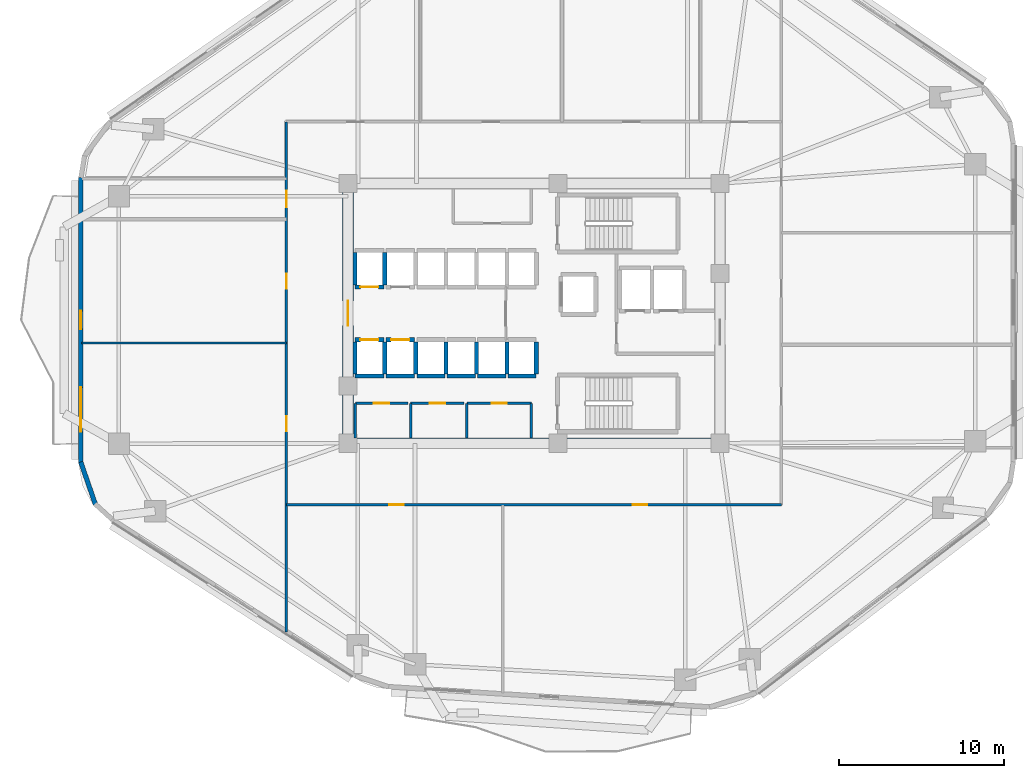
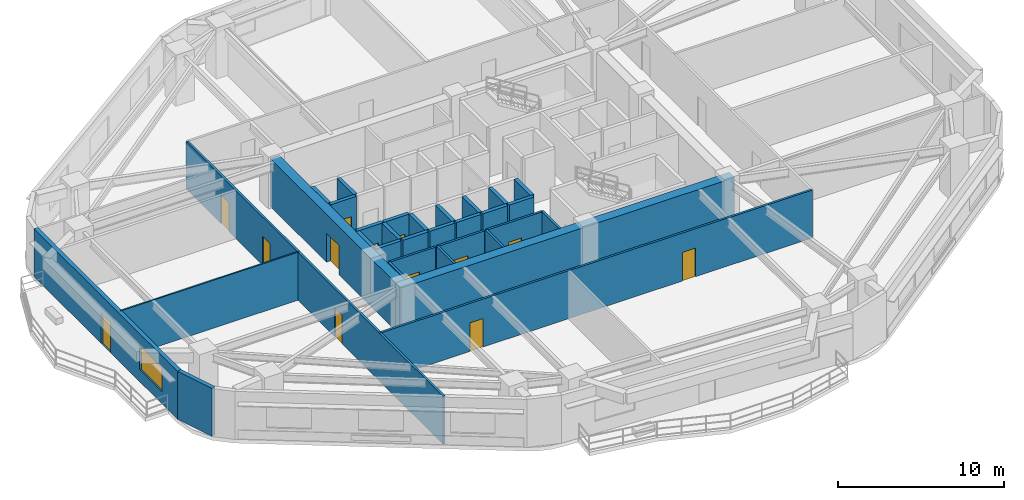
# One storey, part 3 of 9: 32 walls, 13 doors, 1 window, 14 openings.
"""IFC4 building model written with IfcOpenShell, lengths in metres."""

import ifcopenshell
import ifcopenshell.guid

model = None  # the IFC model being written
_history = None  # IfcOwnerHistory: only IFC2X3 demands one
_inside = {}  # id of a spatial element -> (the spatial element, [elements in it])
_under = {}  # id of a project, library or spatial element -> (it, [spatial elements below it])
_declared = {}  # id of a project -> (the project, [libraries it declares])
_typed = {}  # id of a type object -> (the type object, [elements of that type])
_made_of = {}  # id of a material, layer set ... -> (it, [elements and type objects made of it])


def new_model(schema):
    """Start an empty IFC model of exactly this schema.

    Asked for "IFC4X3", IfcOpenShell would pick the latest addendum, in which some entities
    have other attributes; the version numbers below select the first issue.
    IFC2X3 requires an IfcOwnerHistory on every rooted entity: one is made here for all.
    """
    global model, _history
    if schema == "IFC4X3":
        model = ifcopenshell.file(schema_version=(4, 3, 0, 0))
    else:
        model = ifcopenshell.file(schema=schema)
    _inside.clear()
    _under.clear()
    _declared.clear()
    _typed.clear()
    _made_of.clear()
    _history = None
    if model.schema == "IFC2X3":
        org = make("IfcOrganization", Name="unknown")
        user = make(
            "IfcPersonAndOrganization",
            ThePerson=make("IfcPerson", FamilyName="unknown"),
            TheOrganization=org,
        )
        app = make(
            "IfcApplication",
            ApplicationDeveloper=org,
            Version="unknown",
            ApplicationFullName="unknown",
            ApplicationIdentifier="unknown",
        )
        _history = make(
            "IfcOwnerHistory",
            OwningUser=user,
            OwningApplication=app,
            ChangeAction="ADDED",
            CreationDate=0,
        )
    return model


def make(cls, **values):
    """One entity of the class cls with the attributes given. An attribute that is None is left unset."""
    return model.create_entity(
        cls, **{name: value for name, value in values.items() if value is not None}
    )


def rooted(cls, **values):
    """An entity with a GlobalId (a new one), such as an element, a storey or a relation."""
    return make(cls, GlobalId=ifcopenshell.guid.new(), OwnerHistory=_history, **values)


def si_unit(unit_type, name, prefix=None):
    """IfcSIUnit, for example si_unit("LENGTHUNIT", "METRE", prefix="MILLI")."""
    return make("IfcSIUnit", UnitType=unit_type, Prefix=prefix, Name=name)


def assignment(units):
    """IfcUnitAssignment: the units of a project."""
    return None if units is None else make("IfcUnitAssignment", Units=units)


def point(xyz):
    """IfcCartesianPoint."""
    return None if xyz is None else make("IfcCartesianPoint", Coordinates=xyz)


def direction(xyz):
    """IfcDirection."""
    return None if xyz is None else make("IfcDirection", DirectionRatios=xyz)


def frame(location, z_axis=None, x_axis=None):
    """IfcAxis2Placement3D, a coordinate frame: its origin and axes. An axis left out is left unset."""
    return make(
        "IfcAxis2Placement3D",
        Location=point(location),
        Axis=direction(z_axis),
        RefDirection=direction(x_axis),
    )


def frame_2d(location, x_axis=None):
    """IfcAxis2Placement2D, a coordinate frame in the plane: its origin and x axis."""
    return make(
        "IfcAxis2Placement2D", Location=point(location), RefDirection=direction(x_axis)
    )


def origin():
    """The frame at (0, 0, 0) with its axes left unset."""
    return frame((0.0, 0.0, 0.0))


def place(relative_to, where):
    """IfcLocalPlacement: puts the frame where relative to a parent placement (None: the world)."""
    return make(
        "IfcLocalPlacement", PlacementRelTo=relative_to, RelativePlacement=where
    )


def context(
    kind, dimensions, precision=None, world=None, true_north=None, identifier=None
):
    """IfcGeometricRepresentationContext, for example the 3D "Model" context."""
    return make(
        "IfcGeometricRepresentationContext",
        ContextIdentifier=identifier,
        ContextType=kind,
        CoordinateSpaceDimension=dimensions,
        Precision=precision,
        WorldCoordinateSystem=world,
        TrueNorth=true_north,
    )


def subcontext(parent, identifier, kind, view, scale=None):
    """IfcGeometricRepresentationSubContext, for example "Body" below "Model"."""
    return make(
        "IfcGeometricRepresentationSubContext",
        ContextIdentifier=identifier,
        ContextType=kind,
        ParentContext=parent,
        TargetScale=scale,
        TargetView=view,
    )


def project(units=None, contexts=None):
    """IfcProject with its units and contexts."""
    return rooted(
        "IfcProject",
        Name="project",
        RepresentationContexts=contexts,
        UnitsInContext=assignment(units),
    )


def spatial(cls, under=None, at=None, **own):
    """A site, building, storey or space (cls), placed at a placement, below another one or the project."""
    s = rooted(cls, ObjectPlacement=at, **own)
    if under is not None:
        _under.setdefault(under.id(), (under, []))[1].append(s)
    return s


def profile(cls, at=None, kind="AREA", **sizes):
    """A parametric profile (cls). Its sizes go by their IFC names, for example OverallWidth=200.0."""
    return make(cls, ProfileType=kind, Position=at, **sizes)


def rectangle(**sizes):
    """IfcRectangleProfileDef."""
    return profile("IfcRectangleProfileDef", **sizes)


def extrude(swept, where, along, depth):
    """IfcExtrudedAreaSolid: the profile swept, set in the frame where, extruded along a direction by depth."""
    return make(
        "IfcExtrudedAreaSolid",
        SweptArea=swept,
        Position=where,
        ExtrudedDirection=direction(along),
        Depth=depth,
    )


def shape(context_of_items, identifier, shape_type, items):
    """IfcShapeRepresentation: the items that make up one representation, for example the "Body"."""
    return make(
        "IfcShapeRepresentation",
        ContextOfItems=context_of_items,
        RepresentationIdentifier=identifier,
        RepresentationType=shape_type,
        Items=items,
    )


def material(Name=None, Category=None):
    """IfcMaterial."""
    return make("IfcMaterial", Name=Name, Category=Category)


def layer(
    of_material, thickness, ventilated=None, Name=None, Category=None, Priority=None
):
    """IfcMaterialLayer: one layer of a wall or slab, of a material (None: an air gap)."""
    return make(
        "IfcMaterialLayer",
        Material=of_material,
        LayerThickness=thickness,
        IsVentilated=ventilated,
        Name=Name,
        Category=Category,
        Priority=Priority,
    )


def layer_set(layers, Name=None):
    """IfcMaterialLayerSet."""
    return make("IfcMaterialLayerSet", MaterialLayers=layers, LayerSetName=Name)


def made_of(thing, what):
    """Note that an element or type object is made of a material, layer set ...; save() writes the relation."""
    if what is not None:
        _made_of.setdefault(what.id(), (what, []))[1].append(thing)
    return thing


def type_object(cls, material=None, **own):
    """A type object (cls), such as IfcWallType, which elements share."""
    return made_of(rooted(cls, **own), material)


def element(
    cls,
    number,
    at=None,
    inside=None,
    cuts=None,
    type_object=None,
    material=None,
    context=None,
    identifier="Body",
    shape_type=None,
    held_by="IfcProductDefinitionShape",
    body=None,
    shapes=None,
    **own,
):
    """One element of the class cls, such as IfcWall. Its Tag is "e" and its number.

    at: its placement. inside: the storey or other place that contains it. cuts: it is an
    opening in that element (IfcRelVoidsElement). A single representation is given by context,
    identifier, shape_type and body (its items); several are given by shapes. held_by: the class
    of the entity that holds the representations. save() writes the other relations.
    """
    e = rooted(cls, Tag="e%d" % number, ObjectPlacement=at, **own)
    if body is not None:
        shapes = [shape(context, identifier, shape_type, body)]
    if shapes is not None:
        e.Representation = make(held_by, Representations=shapes)
    if inside is not None:
        _inside.setdefault(inside.id(), (inside, []))[1].append(e)
    if cuts is not None:
        rooted(
            "IfcRelVoidsElement", RelatingBuildingElement=cuts, RelatedOpeningElement=e
        )
    if type_object is not None:
        _typed.setdefault(type_object.id(), (type_object, []))[1].append(e)
    return made_of(e, material)


def fill(opening, filler):
    """IfcRelFillsElement: the door or window that sits in an opening."""
    return rooted(
        "IfcRelFillsElement",
        RelatingOpeningElement=opening,
        RelatedBuildingElement=filler,
    )


def aggregate(whole, parts):
    """IfcRelAggregates: a whole, such as a stair, and the parts it consists of."""
    return rooted("IfcRelAggregates", RelatingObject=whole, RelatedObjects=parts)


def save(model, path):
    """Write the relations noted so far, then the file.

    IfcRelAggregates (storeys below a building ...), IfcRelContainedInSpatialStructure (elements
    in a storey), IfcRelDefinesByType, IfcRelAssociatesMaterial and IfcRelDeclares: one each for
    every whole, place, type object, material and project.
    """
    for whole, parts in _under.values():
        aggregate(whole, parts)
    for where, things in _inside.values():
        rooted(
            "IfcRelContainedInSpatialStructure",
            RelatedElements=things,
            RelatingStructure=where,
        )
    for kind, things in _typed.values():
        rooted("IfcRelDefinesByType", RelatedObjects=things, RelatingType=kind)
    for what, things in _made_of.values():
        rooted("IfcRelAssociatesMaterial", RelatedObjects=things, RelatingMaterial=what)
    for by, libraries in _declared.values():
        rooted("IfcRelDeclares", RelatingContext=by, RelatedDefinitions=libraries)
    model.write(path)


model = new_model("IFC4")

# Units and contexts
model_context = context("Model", 3, precision=1e-05, world=origin(), true_north=direction((0.0, 1.0)))
body_context = subcontext(model_context, "Body", "Model", "MODEL_VIEW")
ifc_project = project(units=[si_unit("LENGTHUNIT", "METRE"), si_unit("AREAUNIT", "SQUARE_METRE"), si_unit("VOLUMEUNIT", "CUBIC_METRE"), si_unit("PLANEANGLEUNIT", "RADIAN"), si_unit("MASSUNIT", "GRAM", prefix="KILO")], contexts=[model_context])

# Site, building, storey
site_placement = place(None, origin())
site = spatial("IfcSite", under=ifc_project, at=site_placement, CompositionType="ELEMENT")
building_placement = place(site_placement, origin())
building = spatial("IfcBuilding", under=site, at=building_placement, Name="Zulverin Broadcast Headquarters", CompositionType="ELEMENT")
storey_placement = place(building_placement, frame((0.0, 0.0, 51.60009765625)))
storey = spatial("IfcBuildingStorey", under=building, at=storey_placement, Name="L12", CompositionType="ELEMENT", Elevation=51.60009765625)

# Wall
ifc_material_1 = material(Name="Concrete C60/75", Category="concrete")
ifc_layer_1 = layer(ifc_material_1, 0.64990234375, Name="Concrete C60/75", Category="concrete")
ifc_layer_set_1 = layer_set([ifc_layer_1], Name="Concrete C60/75")
wall_type_1 = type_object("IfcWallType", Name="WL-CORE-650", PredefinedType="SHEAR", material=ifc_layer_set_1)
wall_1_placement = place(storey_placement, frame((25.39990234375, 17.324951171875, 0.0), z_axis=(0.0, 0.0, 1.0), x_axis=(1.0, 0.0, 0.0)))
element("IfcWall", 1, at=wall_1_placement, inside=storey, type_object=wall_type_1, Name="L12 Core South Shear Wall", PredefinedType="SHEAR", context=body_context, shape_type="SweptSolid", body=[
    extrude(rectangle(XDim=23.2001953125, YDim=0.64990234375, at=frame_2d((11.60009765625, 0.0))), origin(), (0.0, 0.0, 1.0), 3.52490234375),
])

# Wall, opening, door
wall_2_placement = place(storey_placement, frame((25.72509765625, 17.64990234375, 0.0), z_axis=(0.0, 0.0, 1.0), x_axis=(0.0, 1.0, 0.0)))
wall_2 = element("IfcWall", 2, at=wall_2_placement, inside=storey, type_object=wall_type_1, Name="L12 Core West Shear Wall", PredefinedType="SHEAR", context=body_context, shape_type="SweptSolid", body=[
    extrude(rectangle(XDim=15.10009765625, YDim=0.64990234375, at=frame_2d((7.550048828125, 0.0))), origin(), (0.0, 0.0, 1.0), 3.52490234375),
])
opening_1_placement = place(wall_2_placement, frame((6.800048828125, 0.0, 0.0)))
opening_1 = element("IfcOpeningElement", 3, at=opening_1_placement, cuts=wall_2, Name="Opening D-L12-CW1", PredefinedType="OPENING", context=body_context, shape_type="SweptSolid", body=[
    extrude(rectangle(XDim=1.5, YDim=2.14990234375, at=frame_2d((0.75, 1.074951171875))), frame((0.0, 0.3349609375, 0.0), z_axis=(0.0, -1.0, 0.0), x_axis=(1.0, 0.0, 0.0)), (0.0, 0.0, 1.0), 0.669921875),
])
ifc_material_2 = material(Name="Fire-rated glazed steel frame", Category="steel")
door_type_1 = type_object("IfcDoorType", Name="DR-COR-1500", OperationType="DOUBLE_DOOR_SINGLE_SWING", PredefinedType="DOOR", material=ifc_material_2)
door_1_placement = place(opening_1_placement, origin())
door_1 = element("IfcDoor", 4, at=door_1_placement, inside=storey, type_object=door_type_1, Name="L12 Central Lift Lobby West Portal Door", OperationType="DOUBLE_DOOR_SINGLE_SWING", OverallHeight=2.14990234375, OverallWidth=1.5, PredefinedType="DOOR", context=body_context, shape_type="SweptSolid", body=[
    extrude(rectangle(XDim=1.5, YDim=2.14990234375, at=frame_2d((0.75, 1.074951171875))), frame((0.0, 0.02490234375, 0.0), z_axis=(0.0, -1.0, 0.0), x_axis=(1.0, 0.0, 0.0)), (0.0, 0.0, 1.0), 0.050048828125),
])
fill(opening_1, door_1)

# Wall, openings, door, window
ifc_material_3 = material(Name="Insulated pale-metal clad concrete spandrel C40/50", Category="concrete")
ifc_layer_2 = layer(ifc_material_3, 0.280029296875, Name="Insulated pale-metal clad concrete spandrel C40/50", Category="concrete")
ifc_layer_set_2 = layer_set([ifc_layer_2], Name="Insulated pale-metal clad concrete spandrel C40/50")
wall_type_2 = type_object("IfcWallType", Name="WL-EXT-280", PredefinedType="STANDARD", material=ifc_layer_set_2)
wall_3_placement = place(storey_placement, frame((9.5400390625, 33.4443359375, 0.0), z_axis=(0.0, 0.0, 1.0), x_axis=(0.0, -1.0, 0.0)))
wall_3 = element("IfcWall", 5, at=wall_3_placement, inside=storey, type_object=wall_type_2, Name="L12 Pale-Metal Clad Spandrel Wall 7", PredefinedType="STANDARD", context=body_context, shape_type="SweptSolid", body=[
    extrude(rectangle(XDim=17.30078125, YDim=0.280029296875, at=frame_2d((8.650390625, 0.0))), origin(), (0.0, 0.0, 1.0), 3.52490234375),
])
opening_2_placement = place(wall_3_placement, frame((8.100341796875, 0.0, 0.0)))
opening_2 = element("IfcOpeningElement", 6, at=opening_2_placement, cuts=wall_3, Name="Opening D-L12-TR7", PredefinedType="OPENING", context=body_context, shape_type="SweptSolid", body=[
    extrude(rectangle(XDim=1.10009765625, YDim=2.199951171875, at=frame_2d((0.550048828125, 1.10009765625))), frame((0.0, 0.14990234375, 0.0), z_axis=(0.0, -1.0, 0.0), x_axis=(1.0, 0.0, 0.0)), (0.0, 0.0, 1.0), 0.300048828125),
])
opening_3_placement = place(wall_3_placement, frame((12.73388671875, 0.0, 0.89990234375)))
opening_3 = element("IfcOpeningElement", 7, at=opening_3_placement, cuts=wall_3, Name="Opening W-L12-E71", PredefinedType="OPENING", context=body_context, shape_type="SweptSolid", body=[
    extrude(rectangle(XDim=2.699951171875, YDim=1.75, at=frame_2d((1.35009765625, 0.875))), frame((0.0, 0.14990234375, 0.0), z_axis=(0.0, -1.0, 0.0), x_axis=(1.0, 0.0, 0.0)), (0.0, 0.0, 1.0), 0.300048828125),
])
ifc_material_4 = material(Name="Thermally broken aluminium glazed", Category="aluminium")
door_type_2 = type_object("IfcDoorType", Name="DR-TERR-1100", OperationType="SINGLE_SWING_RIGHT", PredefinedType="DOOR", material=ifc_material_4)
door_2_placement = place(opening_2_placement, origin())
door_2 = element("IfcDoor", 8, at=door_2_placement, inside=storey, type_object=door_type_2, Name="L12 Planted Terrace Glazed Access Door 7", OperationType="SINGLE_SWING_RIGHT", OverallHeight=2.199951171875, OverallWidth=1.10009765625, PredefinedType="DOOR", context=body_context, shape_type="SweptSolid", body=[
    extrude(rectangle(XDim=1.10009765625, YDim=2.199951171875, at=frame_2d((0.550048828125, 1.10009765625))), frame((0.0, 0.02490234375, 0.0), z_axis=(0.0, -1.0, 0.0), x_axis=(1.0, 0.0, 0.0)), (0.0, 0.0, 1.0), 0.050048828125),
])
fill(opening_2, door_2)
ifc_material_5 = material(Name="Pale anodized aluminium frame with solar-control low-E double glazing", Category="aluminium")
window_type = type_object("IfcWindowType", Name="WIN-TWR-2700", PartitioningType="SINGLE_PANEL", PredefinedType="WINDOW", material=ifc_material_5)
window_placement = place(opening_3_placement, origin())
window = element("IfcWindow", 9, at=window_placement, inside=storey, type_object=window_type, Name="L12 Ribbon Glazing Window 7 1", OverallHeight=1.75, OverallWidth=2.699951171875, PartitioningType="SINGLE_PANEL", PredefinedType="WINDOW", context=body_context, shape_type="SweptSolid", body=[
    extrude(rectangle(XDim=2.699951171875, YDim=1.75, at=frame_2d((1.35009765625, 0.875))), frame((0.0, 0.030029296875, 0.0), z_axis=(0.0, -1.0, 0.0), x_axis=(1.0, 0.0, 0.0)), (0.0, 0.0, 1.0), 0.06005859375),
])
fill(opening_3, window)

# Walls
wall_4_placement = place(storey_placement, frame((9.5322265625, 16.189453125, 0.0), z_axis=(0.0, 0.0, 1.0), x_axis=(0.32708309668, -0.944995580871, 0.0)))
element("IfcWall", 10, at=wall_4_placement, inside=storey, type_object=wall_type_2, Name="L12 Wind-Shaped Corner Spandrel Wall 7-1", PredefinedType="STANDARD", context=body_context, shape_type="SweptSolid", body=[
    extrude(rectangle(XDim=2.74755859375, YDim=0.280029296875, at=frame_2d((1.373779296875, 0.0))), origin(), (0.0, 0.0, 1.0), 3.52490234375),
])
ifc_material_6 = material(Name="Fire-rated acoustic laminated glass screen", Category="glass")
ifc_layer_3 = layer(ifc_material_6, 0.10009765625, Name="Fire-rated acoustic laminated glass screen", Category="glass")
ifc_layer_set_3 = layer_set([ifc_layer_3], Name="Fire-rated acoustic laminated glass screen")
wall_type_3 = type_object("IfcWallType", Name="WL-GLAZ-100", PredefinedType="PARTITIONING", material=ifc_layer_set_3)
wall_5_placement = place(storey_placement, frame((9.60498046875, 23.39990234375, 0.0), z_axis=(0.0, 0.0, 1.0), x_axis=(1.0, 0.0, 0.0)))
element("IfcWall", 11, at=wall_5_placement, inside=storey, type_object=wall_type_3, Name="L12 Room Partition Wall RP-10", PredefinedType="PARTITIONING", context=body_context, shape_type="SweptSolid", body=[
    extrude(rectangle(XDim=12.39501953125, YDim=0.10009765625, at=frame_2d((6.197509765625, 0.0))), origin(), (0.0, 0.0, 1.0), 3.52490234375),
])

# Wall, opening, door
ifc_material_7 = material(Name="Fire-rated gypsum stud partition", Category="gypsum")
ifc_layer_4 = layer(ifc_material_7, 0.14990234375, Name="Fire-rated gypsum stud partition", Category="gypsum")
ifc_layer_set_4 = layer_set([ifc_layer_4], Name="Fire-rated gypsum stud partition")
wall_type_4 = type_object("IfcWallType", Name="WL-PART-150", PredefinedType="PARTITIONING", material=ifc_layer_set_4)
wall_6_placement = place(storey_placement, frame((26.169921875, 19.75, 0.0), z_axis=(0.0, 0.0, 1.0), x_axis=(1.0, 0.0, 0.0)))
wall_6 = element("IfcWall", 12, at=wall_6_placement, inside=storey, type_object=wall_type_4, Name="L12 Core Male WC Front Wall", PredefinedType="PARTITIONING", context=body_context, shape_type="SweptSolid", body=[
    extrude(rectangle(XDim=3.2001953125, YDim=0.14990234375, at=frame_2d((1.60009765625, 0.0))), origin(), (0.0, 0.0, 1.0), 3.52490234375),
])
opening_4_placement = place(wall_6_placement, frame((1.125, 0.0, 0.0)))
opening_4 = element("IfcOpeningElement", 13, at=opening_4_placement, cuts=wall_6, Name="Opening D-L12-SC1", PredefinedType="OPENING", context=body_context, shape_type="SweptSolid", body=[
    extrude(rectangle(XDim=0.949951171875, YDim=2.10009765625, at=frame_2d((0.47509765625, 1.050048828125))), frame((0.0, 0.0849609375, 0.0), z_axis=(0.0, -1.0, 0.0), x_axis=(1.0, 0.0, 0.0)), (0.0, 0.0, 1.0), 0.169921875),
])
ifc_material_8 = material(Name="Fire-rated moisture-resistant laminate leaf", Category="wood")
door_type_3 = type_object("IfcDoorType", Name="DR-WC-950", OperationType="SINGLE_SWING_LEFT", PredefinedType="DOOR", material=ifc_material_8)
door_3_placement = place(opening_4_placement, origin())
door_3 = element("IfcDoor", 14, at=door_3_placement, inside=storey, type_object=door_type_3, Name="L12 Male WC Door", OperationType="SINGLE_SWING_RIGHT", OverallHeight=2.10009765625, OverallWidth=0.949951171875, PredefinedType="DOOR", context=body_context, shape_type="SweptSolid", body=[
    extrude(rectangle(XDim=0.949951171875, YDim=2.10009765625, at=frame_2d((0.47509765625, 1.050048828125))), frame((0.0, 0.02490234375, 0.0), z_axis=(0.0, -1.0, 0.0), x_axis=(1.0, 0.0, 0.0)), (0.0, 0.0, 1.0), 0.050048828125),
])
fill(opening_4, door_3)

# Wall
wall_7_placement = place(storey_placement, frame((26.169921875, 17.64990234375, 0.0), z_axis=(0.0, 0.0, 1.0), x_axis=(0.0, 1.0, 0.0)))
element("IfcWall", 15, at=wall_7_placement, inside=storey, type_object=wall_type_4, Name="L12 Core Male WC West Wall", PredefinedType="PARTITIONING", context=body_context, shape_type="SweptSolid", body=[
    extrude(rectangle(XDim=2.10009765625, YDim=0.14990234375, at=frame_2d((1.050048828125, 0.0))), origin(), (0.0, 0.0, 1.0), 3.52490234375),
])

# Wall, opening, door
wall_8_placement = place(storey_placement, frame((29.530029296875, 19.75, 0.0), z_axis=(0.0, 0.0, 1.0), x_axis=(1.0, 0.0, 0.0)))
wall_8 = element("IfcWall", 16, at=wall_8_placement, inside=storey, type_object=wall_type_4, Name="L12 Core Female WC Front Wall", PredefinedType="PARTITIONING", context=body_context, shape_type="SweptSolid", body=[
    extrude(rectangle(XDim=3.239990234375, YDim=0.14990234375, at=frame_2d((1.6201171875, 0.0))), origin(), (0.0, 0.0, 1.0), 3.52490234375),
])
opening_5_placement = place(wall_8_placement, frame((1.14501953125, 0.0, 0.0)))
opening_5 = element("IfcOpeningElement", 17, at=opening_5_placement, cuts=wall_8, Name="Opening D-L12-SC2", PredefinedType="OPENING", context=body_context, shape_type="SweptSolid", body=[
    extrude(rectangle(XDim=0.949951171875, YDim=2.10009765625, at=frame_2d((0.47509765625, 1.050048828125))), frame((0.0, 0.0849609375, 0.0), z_axis=(0.0, -1.0, 0.0), x_axis=(1.0, 0.0, 0.0)), (0.0, 0.0, 1.0), 0.169921875),
])
door_4_placement = place(opening_5_placement, origin())
door_4 = element("IfcDoor", 18, at=door_4_placement, inside=storey, type_object=door_type_3, Name="L12 Female WC Door", OperationType="SINGLE_SWING_LEFT", OverallHeight=2.10009765625, OverallWidth=0.949951171875, PredefinedType="DOOR", context=body_context, shape_type="SweptSolid", body=[
    extrude(rectangle(XDim=0.949951171875, YDim=2.10009765625, at=frame_2d((0.47509765625, 1.050048828125))), frame((0.0, 0.02490234375, 0.0), z_axis=(0.0, -1.0, 0.0), x_axis=(1.0, 0.0, 0.0)), (0.0, 0.0, 1.0), 0.050048828125),
])
fill(opening_5, door_4)

# Wall
wall_9_placement = place(storey_placement, frame((29.530029296875, 17.64990234375, 0.0), z_axis=(0.0, 0.0, 1.0), x_axis=(0.0, 1.0, 0.0)))
element("IfcWall", 19, at=wall_9_placement, inside=storey, type_object=wall_type_4, Name="L12 Core Female WC West Wall", PredefinedType="PARTITIONING", context=body_context, shape_type="SweptSolid", body=[
    extrude(rectangle(XDim=2.10009765625, YDim=0.14990234375, at=frame_2d((1.050048828125, 0.0))), origin(), (0.0, 0.0, 1.0), 3.52490234375),
])

# Wall, opening, door
wall_10_placement = place(storey_placement, frame((32.929931640625, 19.75, 0.0), z_axis=(0.0, 0.0, 1.0), x_axis=(1.0, 0.0, 0.0)))
wall_10 = element("IfcWall", 20, at=wall_10_placement, inside=storey, type_object=wall_type_4, Name="L12 Core Cleaner Store Front Wall", PredefinedType="PARTITIONING", context=body_context, shape_type="SweptSolid", body=[
    extrude(rectangle(XDim=3.920166015625, YDim=0.14990234375, at=frame_2d((1.9599609375, 0.0))), origin(), (0.0, 0.0, 1.0), 3.52490234375),
])
opening_6_placement = place(wall_10_placement, frame((1.510009765625, 0.0, 0.0)))
opening_6 = element("IfcOpeningElement", 21, at=opening_6_placement, cuts=wall_10, Name="Opening D-L12-SC3", PredefinedType="OPENING", context=body_context, shape_type="SweptSolid", body=[
    extrude(rectangle(XDim=0.89990234375, YDim=2.10009765625, at=frame_2d((0.449951171875, 1.050048828125))), frame((0.0, 0.0849609375, 0.0), z_axis=(0.0, -1.0, 0.0), x_axis=(1.0, 0.0, 0.0)), (0.0, 0.0, 1.0), 0.169921875),
])
ifc_material_9 = material(Name="Powder-coated steel access leaf", Category="steel")
door_type_4 = type_object("IfcDoorType", Name="DR-RISER-900", OperationType="SINGLE_SWING_LEFT", PredefinedType="DOOR", material=ifc_material_9)
door_5_placement = place(opening_6_placement, origin())
door_5 = element("IfcDoor", 22, at=door_5_placement, inside=storey, type_object=door_type_4, Name="L12 Cleaner Store Door", OperationType="SINGLE_SWING_RIGHT", OverallHeight=2.10009765625, OverallWidth=0.89990234375, PredefinedType="DOOR", context=body_context, shape_type="SweptSolid", body=[
    extrude(rectangle(XDim=0.89990234375, YDim=2.10009765625, at=frame_2d((0.449951171875, 1.050048828125))), frame((0.0, 0.02490234375, 0.0), z_axis=(0.0, -1.0, 0.0), x_axis=(1.0, 0.0, 0.0)), (0.0, 0.0, 1.0), 0.050048828125),
])
fill(opening_6, door_5)

# Walls
for number, where, z_axis, x_axis, name in (
    (23, (32.929931640625, 17.64990234375, 0.0), (0.0, 0.0, 1.0), (0.0, 1.0, 0.0), "L12 Core Cleaner Store West Wall"),
    (24, (36.85009765625, 17.64990234375, 0.0), (0.0, 0.0, 1.0), (0.0, 1.0, 0.0), "L12 Core Cleaner Store East Wall"),
):
    element("IfcWall", number, at=place(storey_placement, frame(where, z_axis=z_axis, x_axis=x_axis)), inside=storey, type_object=wall_type_4, Name=name, PredefinedType="PARTITIONING", context=body_context, shape_type="SweptSolid", body=[
        extrude(rectangle(XDim=2.10009765625, YDim=0.14990234375, at=frame_2d((1.050048828125, 0.0))), origin(), (0.0, 0.0, 1.0), 3.52490234375),
    ])

# Wall, openings, doors
wall_11_placement = place(storey_placement, frame((22.0, 5.893798828125, 0.0), z_axis=(0.0, 0.0, 1.0), x_axis=(0.0, 1.0, 0.0)))
wall_11 = element("IfcWall", 25, at=wall_11_placement, inside=storey, type_object=wall_type_4, Name="L12 Gallery Partition Wall CG-06", PredefinedType="PARTITIONING", context=body_context, shape_type="SweptSolid", body=[
    extrude(rectangle(XDim=30.90625, YDim=0.14990234375, at=frame_2d((15.453125, 0.0))), origin(), (0.0, 0.0, 1.0), 3.52490234375),
])
opening_7_placement = place(wall_11_placement, frame((12.156005859375, 0.0, 0.0)))
opening_7 = element("IfcOpeningElement", 26, at=opening_7_placement, cuts=wall_11, Name="Opening D-L12-07", PredefinedType="OPENING", context=body_context, shape_type="SweptSolid", body=[
    extrude(rectangle(XDim=0.89990234375, YDim=2.10009765625, at=frame_2d((0.449951171875, 1.050048828125))), frame((0.0, 0.0849609375, 0.0), z_axis=(0.0, -1.0, 0.0), x_axis=(1.0, 0.0, 0.0)), (0.0, 0.0, 1.0), 0.169921875),
])
opening_8_placement = place(wall_11_placement, frame((20.80615234375, 0.0, 0.0)))
opening_8 = element("IfcOpeningElement", 27, at=opening_8_placement, cuts=wall_11, Name="Opening D-L12-08", PredefinedType="OPENING", context=body_context, shape_type="SweptSolid", body=[
    extrude(rectangle(XDim=0.89990234375, YDim=2.10009765625, at=frame_2d((0.449951171875, 1.050048828125))), frame((0.0, 0.0849609375, 0.0), z_axis=(0.0, -1.0, 0.0), x_axis=(1.0, 0.0, 0.0)), (0.0, 0.0, 1.0), 0.169921875),
])
opening_9_placement = place(wall_11_placement, frame((25.731201171875, 0.0, 0.0)))
opening_9 = element("IfcOpeningElement", 28, at=opening_9_placement, cuts=wall_11, Name="Opening D-L12-09", PredefinedType="OPENING", context=body_context, shape_type="SweptSolid", body=[
    extrude(rectangle(XDim=1.0, YDim=2.1201171875, at=frame_2d((0.5, 1.06005859375))), frame((0.0, 0.0849609375, 0.0), z_axis=(0.0, -1.0, 0.0), x_axis=(1.0, 0.0, 0.0)), (0.0, 0.0, 1.0), 0.169921875),
])
ifc_material_10 = material(Name="Hardwood veneer acoustic leaf", Category="wood")
door_type_5 = type_object("IfcDoorType", Name="DR-OFF-1000", OperationType="SINGLE_SWING_LEFT", PredefinedType="DOOR", material=ifc_material_10)
door_6_placement = place(opening_9_placement, origin())
door_6 = element("IfcDoor", 29, at=door_6_placement, inside=storey, type_object=door_type_5, Name="L12 Satellite Downlink Office Door", OperationType="SINGLE_SWING_RIGHT", OverallHeight=2.1201171875, OverallWidth=1.0, PredefinedType="DOOR", context=body_context, shape_type="SweptSolid", body=[
    extrude(rectangle(XDim=1.0, YDim=2.1201171875, at=frame_2d((0.5, 1.06005859375))), frame((0.0, 0.02490234375, 0.0), z_axis=(0.0, -1.0, 0.0), x_axis=(1.0, 0.0, 0.0)), (0.0, 0.0, 1.0), 0.050048828125),
])
fill(opening_9, door_6)
ifc_material_11 = material(Name="Fire-rated hardwood veneer timber leaf", Category="wood")
door_type_6 = type_object("IfcDoorType", Name="DR-ROOM-900", OperationType="SINGLE_SWING_RIGHT", PredefinedType="DOOR", material=ifc_material_11)
door_7_placement = place(opening_7_placement, origin())
door_7 = element("IfcDoor", 30, at=door_7_placement, inside=storey, type_object=door_type_6, Name="L12 Engineering Library Door", OperationType="SINGLE_SWING_RIGHT", OverallHeight=2.10009765625, OverallWidth=0.89990234375, PredefinedType="DOOR", context=body_context, shape_type="SweptSolid", body=[
    extrude(rectangle(XDim=0.89990234375, YDim=2.10009765625, at=frame_2d((0.449951171875, 1.050048828125))), frame((0.0, 0.02490234375, 0.0), z_axis=(0.0, -1.0, 0.0), x_axis=(1.0, 0.0, 0.0)), (0.0, 0.0, 1.0), 0.050048828125),
])
fill(opening_7, door_7)
door_8_placement = place(opening_8_placement, origin())
door_8 = element("IfcDoor", 31, at=door_8_placement, inside=storey, type_object=door_type_6, Name="L12 Staff Tea Pantry Door", OperationType="SINGLE_SWING_LEFT", OverallHeight=2.10009765625, OverallWidth=0.89990234375, PredefinedType="DOOR", context=body_context, shape_type="SweptSolid", body=[
    extrude(rectangle(XDim=0.89990234375, YDim=2.10009765625, at=frame_2d((0.449951171875, 1.050048828125))), frame((0.0, 0.02490234375, 0.0), z_axis=(0.0, -1.0, 0.0), x_axis=(1.0, 0.0, 0.0)), (0.0, 0.0, 1.0), 0.050048828125),
])
fill(opening_8, door_8)

wall_12_placement = place(storey_placement, frame((22.0, 13.60009765625, 0.0), z_axis=(0.0, 0.0, 1.0), x_axis=(1.0, 0.0, 0.0)))
wall_12 = element("IfcWall", 32, at=wall_12_placement, inside=storey, type_object=wall_type_4, Name="L12 Gallery Partition Wall CG-07", PredefinedType="PARTITIONING", context=body_context, shape_type="SweptSolid", body=[
    extrude(rectangle(XDim=30.0, YDim=0.14990234375, at=frame_2d((15.0, 0.0))), origin(), (0.0, 0.0, 1.0), 3.52490234375),
])
opening_10_placement = place(wall_12_placement, frame((6.219970703125, 0.0, 0.0)))
opening_10 = element("IfcOpeningElement", 33, at=opening_10_placement, cuts=wall_12, Name="Opening D-L12-05", PredefinedType="OPENING", context=body_context, shape_type="SweptSolid", body=[
    extrude(rectangle(XDim=0.89990234375, YDim=2.10009765625, at=frame_2d((0.449951171875, 1.050048828125))), frame((0.0, 0.0849609375, 0.0), z_axis=(0.0, -1.0, 0.0), x_axis=(1.0, 0.0, 0.0)), (0.0, 0.0, 1.0), 0.169921875),
])
opening_11_placement = place(wall_12_placement, frame((20.97998046875, 0.0, 0.0)))
opening_11 = element("IfcOpeningElement", 34, at=opening_11_placement, cuts=wall_12, Name="Opening D-L12-06", PredefinedType="OPENING", context=body_context, shape_type="SweptSolid", body=[
    extrude(rectangle(XDim=0.89990234375, YDim=2.10009765625, at=frame_2d((0.449951171875, 1.050048828125))), frame((0.0, 0.0849609375, 0.0), z_axis=(0.0, -1.0, 0.0), x_axis=(1.0, 0.0, 0.0)), (0.0, 0.0, 1.0), 0.169921875),
])
door_9_placement = place(opening_10_placement, origin())
door_9 = element("IfcDoor", 35, at=door_9_placement, inside=storey, type_object=door_type_6, Name="L12 Technical Briefing Room Door", OperationType="SINGLE_SWING_RIGHT", OverallHeight=2.10009765625, OverallWidth=0.89990234375, PredefinedType="DOOR", context=body_context, shape_type="SweptSolid", body=[
    extrude(rectangle(XDim=0.89990234375, YDim=2.10009765625, at=frame_2d((0.449951171875, 1.050048828125))), frame((0.0, 0.02490234375, 0.0), z_axis=(0.0, -1.0, 0.0), x_axis=(1.0, 0.0, 0.0)), (0.0, 0.0, 1.0), 0.050048828125),
])
fill(opening_10, door_9)
door_10_placement = place(opening_11_placement, origin())
door_10 = element("IfcDoor", 36, at=door_10_placement, inside=storey, type_object=door_type_6, Name="L12 Review Conference Room Door", OperationType="SINGLE_SWING_LEFT", OverallHeight=2.10009765625, OverallWidth=0.89990234375, PredefinedType="DOOR", context=body_context, shape_type="SweptSolid", body=[
    extrude(rectangle(XDim=0.89990234375, YDim=2.10009765625, at=frame_2d((0.449951171875, 1.050048828125))), frame((0.0, 0.02490234375, 0.0), z_axis=(0.0, -1.0, 0.0), x_axis=(1.0, 0.0, 0.0)), (0.0, 0.0, 1.0), 0.050048828125),
])
fill(opening_11, door_10)

# Wall, opening, door
ifc_material_12 = material(Name="Concrete C50/60", Category="concrete")
ifc_layer_5 = layer(ifc_material_12, 0.25, Name="Concrete C50/60", Category="concrete")
ifc_layer_set_5 = layer_set([ifc_layer_5], Name="Concrete C50/60")
wall_type_5 = type_object("IfcWallType", Name="WL-SHAFT-250", PredefinedType="SHEAR", material=ifc_layer_set_5)
wall_13_placement = place(storey_placement, frame((26.14990234375, 26.800048828125, 0.0), z_axis=(0.0, 0.0, 1.0), x_axis=(1.0, 0.0, 0.0)))
wall_13 = element("IfcWall", 37, at=wall_13_placement, inside=storey, type_object=wall_type_5, Name="L12 Lift PL-L1 Shaft Wall S", PredefinedType="SHEAR", context=body_context, shape_type="SweptSolid", body=[
    extrude(rectangle(XDim=1.75, YDim=0.25, at=frame_2d((0.875, 0.0))), origin(), (0.0, 0.0, 1.0), 3.52490234375),
])
opening_12_placement = place(wall_13_placement, frame((0.324951171875, 0.0, 0.0)))
opening_12 = element("IfcOpeningElement", 38, at=opening_12_placement, cuts=wall_13, Name="Opening LD-PL-L1-L12", PredefinedType="OPENING", context=body_context, shape_type="SweptSolid", body=[
    extrude(rectangle(XDim=1.10009765625, YDim=2.14990234375, at=frame_2d((0.550048828125, 1.074951171875))), frame((0.0, 0.135009765625, 0.0), z_axis=(0.0, -1.0, 0.0), x_axis=(1.0, 0.0, 0.0)), (0.0, 0.0, 1.0), 0.27001953125),
])
ifc_material_13 = material(Name="Brushed stainless steel landing", Category="steel")
door_type_7 = type_object("IfcDoorType", Name="LD-PASS-1100", OperationType="DOUBLE_DOOR_SLIDING", PredefinedType="DOOR", material=ifc_material_13)
door_11_placement = place(opening_12_placement, origin())
door_11 = element("IfcDoor", 39, at=door_11_placement, inside=storey, type_object=door_type_7, Name="L12 Lift PL-L1 Sliding Landing Door", OperationType="DOUBLE_DOOR_SLIDING", OverallHeight=2.14990234375, OverallWidth=1.10009765625, PredefinedType="DOOR", context=body_context, shape_type="SweptSolid", body=[
    extrude(rectangle(XDim=1.10009765625, YDim=2.14990234375, at=frame_2d((0.550048828125, 1.074951171875))), frame((0.0, 0.02490234375, 0.0), z_axis=(0.0, -1.0, 0.0), x_axis=(1.0, 0.0, 0.0)), (0.0, 0.0, 1.0), 0.050048828125),
])
fill(opening_12, door_11)

# Walls
for number, where, z_axis, x_axis, name in (
    (40, (26.14990234375, 26.919921875, 0.0), (0.0, 0.0, 1.0), (0.0, 1.0, 0.0), "L12 Lift PL-L1 Shaft Wall W"),
    (41, (27.9599609375, 26.919921875, 0.0), (0.0, 0.0, 1.0), (0.0, 1.0, 0.0), "L12 Lift PL-L1 Shaft Wall E"),
):
    element("IfcWall", number, at=place(storey_placement, frame(where, z_axis=z_axis, x_axis=x_axis)), inside=storey, type_object=wall_type_5, Name=name, PredefinedType="SHEAR", context=body_context, shape_type="SweptSolid", body=[
        extrude(rectangle(XDim=1.9599609375, YDim=0.25, at=frame_2d((0.97998046875, 0.0))), origin(), (0.0, 0.0, 1.0), 3.52490234375),
    ])
wall_14_placement = place(storey_placement, frame((26.14990234375, 21.39990234375, 0.0), z_axis=(0.0, 0.0, 1.0), x_axis=(1.0, 0.0, 0.0)))
element("IfcWall", 42, at=wall_14_placement, inside=storey, type_object=wall_type_5, Name="L12 Lift PL-L3 Shaft Wall S", PredefinedType="SHEAR", context=body_context, shape_type="SweptSolid", body=[
    extrude(rectangle(XDim=1.75, YDim=0.25, at=frame_2d((0.875, 0.0))), origin(), (0.0, 0.0, 1.0), 3.52490234375),
])

# Wall, opening, door
wall_15_placement = place(storey_placement, frame((26.14990234375, 23.60009765625, 0.0), z_axis=(0.0, 0.0, 1.0), x_axis=(1.0, 0.0, 0.0)))
wall_15 = element("IfcWall", 43, at=wall_15_placement, inside=storey, type_object=wall_type_5, Name="L12 Lift PL-L3 Shaft Wall N", PredefinedType="SHEAR", context=body_context, shape_type="SweptSolid", body=[
    extrude(rectangle(XDim=1.75, YDim=0.25, at=frame_2d((0.875, 0.0))), origin(), (0.0, 0.0, 1.0), 3.52490234375),
])
opening_13_placement = place(wall_15_placement, frame((0.324951171875, 0.0, 0.0)))
opening_13 = element("IfcOpeningElement", 44, at=opening_13_placement, cuts=wall_15, Name="Opening LD-PL-L3-L12", PredefinedType="OPENING", context=body_context, shape_type="SweptSolid", body=[
    extrude(rectangle(XDim=1.10009765625, YDim=2.14990234375, at=frame_2d((0.550048828125, 1.074951171875))), frame((0.0, 0.135009765625, 0.0), z_axis=(0.0, -1.0, 0.0), x_axis=(1.0, 0.0, 0.0)), (0.0, 0.0, 1.0), 0.27001953125),
])
door_12_placement = place(opening_13_placement, origin())
door_12 = element("IfcDoor", 45, at=door_12_placement, inside=storey, type_object=door_type_7, Name="L12 Lift PL-L3 Sliding Landing Door", OperationType="DOUBLE_DOOR_SLIDING", OverallHeight=2.14990234375, OverallWidth=1.10009765625, PredefinedType="DOOR", context=body_context, shape_type="SweptSolid", body=[
    extrude(rectangle(XDim=1.10009765625, YDim=2.14990234375, at=frame_2d((0.550048828125, 1.074951171875))), frame((0.0, 0.02490234375, 0.0), z_axis=(0.0, -1.0, 0.0), x_axis=(1.0, 0.0, 0.0)), (0.0, 0.0, 1.0), 0.050048828125),
])
fill(opening_13, door_12)

# Walls
for number, where, z_axis, x_axis, name in (
    (46, (26.14990234375, 21.52001953125, 0.0), (0.0, 0.0, 1.0), (0.0, 1.0, 0.0), "L12 Lift PL-L3 Shaft Wall W"),
    (47, (27.9599609375, 21.52001953125, 0.0), (0.0, 0.0, 1.0), (0.0, 1.0, 0.0), "L12 Lift PL-L3 Shaft Wall E"),
):
    element("IfcWall", number, at=place(storey_placement, frame(where, z_axis=z_axis, x_axis=x_axis)), inside=storey, type_object=wall_type_5, Name=name, PredefinedType="SHEAR", context=body_context, shape_type="SweptSolid", body=[
        extrude(rectangle(XDim=1.9599609375, YDim=0.25, at=frame_2d((0.97998046875, 0.0))), origin(), (0.0, 0.0, 1.0), 3.52490234375),
    ])
wall_16_placement = place(storey_placement, frame((28.02001953125, 21.39990234375, 0.0), z_axis=(0.0, 0.0, 1.0), x_axis=(1.0, 0.0, 0.0)))
element("IfcWall", 48, at=wall_16_placement, inside=storey, type_object=wall_type_5, Name="L12 Lift PL-L4 Shaft Wall S", PredefinedType="SHEAR", context=body_context, shape_type="SweptSolid", body=[
    extrude(rectangle(XDim=1.75, YDim=0.25, at=frame_2d((0.875, 0.0))), origin(), (0.0, 0.0, 1.0), 3.52490234375),
])

# Wall, opening, door
wall_17_placement = place(storey_placement, frame((28.02001953125, 23.60009765625, 0.0), z_axis=(0.0, 0.0, 1.0), x_axis=(1.0, 0.0, 0.0)))
wall_17 = element("IfcWall", 49, at=wall_17_placement, inside=storey, type_object=wall_type_5, Name="L12 Lift PL-L4 Shaft Wall N", PredefinedType="SHEAR", context=body_context, shape_type="SweptSolid", body=[
    extrude(rectangle(XDim=1.75, YDim=0.25, at=frame_2d((0.875, 0.0))), origin(), (0.0, 0.0, 1.0), 3.52490234375),
])
opening_14_placement = place(wall_17_placement, frame((0.324951171875, 0.0, 0.0)))
opening_14 = element("IfcOpeningElement", 50, at=opening_14_placement, cuts=wall_17, Name="Opening LD-PL-L4-L12", PredefinedType="OPENING", context=body_context, shape_type="SweptSolid", body=[
    extrude(rectangle(XDim=1.10009765625, YDim=2.14990234375, at=frame_2d((0.550048828125, 1.074951171875))), frame((0.0, 0.135009765625, 0.0), z_axis=(0.0, -1.0, 0.0), x_axis=(1.0, 0.0, 0.0)), (0.0, 0.0, 1.0), 0.27001953125),
])
door_13_placement = place(opening_14_placement, origin())
door_13 = element("IfcDoor", 51, at=door_13_placement, inside=storey, type_object=door_type_7, Name="L12 Lift PL-L4 Sliding Landing Door", OperationType="DOUBLE_DOOR_SLIDING", OverallHeight=2.14990234375, OverallWidth=1.10009765625, PredefinedType="DOOR", context=body_context, shape_type="SweptSolid", body=[
    extrude(rectangle(XDim=1.10009765625, YDim=2.14990234375, at=frame_2d((0.550048828125, 1.074951171875))), frame((0.0, 0.02490234375, 0.0), z_axis=(0.0, -1.0, 0.0), x_axis=(1.0, 0.0, 0.0)), (0.0, 0.0, 1.0), 0.050048828125),
])
fill(opening_14, door_13)

# Walls
wall_18_placement = place(storey_placement, frame((29.8349609375, 21.52001953125, 0.0), z_axis=(0.0, 0.0, 1.0), x_axis=(0.0, 1.0, 0.0)))
element("IfcWall", 52, at=wall_18_placement, inside=storey, type_object=wall_type_5, Name="L12 Lift PL-L4 Shaft Wall E", PredefinedType="SHEAR", context=body_context, shape_type="SweptSolid", body=[
    extrude(rectangle(XDim=1.9599609375, YDim=0.25, at=frame_2d((0.97998046875, 0.0))), origin(), (0.0, 0.0, 1.0), 3.52490234375),
])
wall_19_placement = place(storey_placement, frame((29.89990234375, 21.39990234375, 0.0), z_axis=(0.0, 0.0, 1.0), x_axis=(1.0, 0.0, 0.0)))
element("IfcWall", 53, at=wall_19_placement, inside=storey, type_object=wall_type_5, Name="L12 Lift PL-M1 Shaft Wall S", PredefinedType="SHEAR", context=body_context, shape_type="SweptSolid", body=[
    extrude(rectangle(XDim=1.72021484375, YDim=0.25, at=frame_2d((0.860107421875, 0.0))), origin(), (0.0, 0.0, 1.0), 3.52490234375),
])
wall_20_placement = place(storey_placement, frame((31.679931640625, 21.52001953125, 0.0), z_axis=(0.0, 0.0, 1.0), x_axis=(0.0, 1.0, 0.0)))
element("IfcWall", 54, at=wall_20_placement, inside=storey, type_object=wall_type_5, Name="L12 Lift PL-M1 Shaft Wall E", PredefinedType="SHEAR", context=body_context, shape_type="SweptSolid", body=[
    extrude(rectangle(XDim=1.9599609375, YDim=0.25, at=frame_2d((0.97998046875, 0.0))), origin(), (0.0, 0.0, 1.0), 3.52490234375),
])
wall_21_placement = place(storey_placement, frame((31.739990234375, 21.39990234375, 0.0), z_axis=(0.0, 0.0, 1.0), x_axis=(1.0, 0.0, 0.0)))
element("IfcWall", 55, at=wall_21_placement, inside=storey, type_object=wall_type_5, Name="L12 Lift PL-M2 Shaft Wall S", PredefinedType="SHEAR", context=body_context, shape_type="SweptSolid", body=[
    extrude(rectangle(XDim=1.719970703125, YDim=0.25, at=frame_2d((0.85986328125, 0.0))), origin(), (0.0, 0.0, 1.0), 3.52490234375),
])
wall_22_placement = place(storey_placement, frame((33.52001953125, 21.52001953125, 0.0), z_axis=(0.0, 0.0, 1.0), x_axis=(0.0, 1.0, 0.0)))
element("IfcWall", 56, at=wall_22_placement, inside=storey, type_object=wall_type_5, Name="L12 Lift PL-M2 Shaft Wall E", PredefinedType="SHEAR", context=body_context, shape_type="SweptSolid", body=[
    extrude(rectangle(XDim=1.9599609375, YDim=0.25, at=frame_2d((0.97998046875, 0.0))), origin(), (0.0, 0.0, 1.0), 3.52490234375),
])
wall_23_placement = place(storey_placement, frame((33.580078125, 21.39990234375, 0.0), z_axis=(0.0, 0.0, 1.0), x_axis=(1.0, 0.0, 0.0)))
element("IfcWall", 57, at=wall_23_placement, inside=storey, type_object=wall_type_5, Name="L12 Lift PL-M3 Shaft Wall S", PredefinedType="SHEAR", context=body_context, shape_type="SweptSolid", body=[
    extrude(rectangle(XDim=1.719970703125, YDim=0.25, at=frame_2d((0.85986328125, 0.0))), origin(), (0.0, 0.0, 1.0), 3.52490234375),
])
wall_24_placement = place(storey_placement, frame((35.360107421875, 21.52001953125, 0.0), z_axis=(0.0, 0.0, 1.0), x_axis=(0.0, 1.0, 0.0)))
element("IfcWall", 58, at=wall_24_placement, inside=storey, type_object=wall_type_5, Name="L12 Lift PL-M3 Shaft Wall E", PredefinedType="SHEAR", context=body_context, shape_type="SweptSolid", body=[
    extrude(rectangle(XDim=1.9599609375, YDim=0.25, at=frame_2d((0.97998046875, 0.0))), origin(), (0.0, 0.0, 1.0), 3.52490234375),
])
wall_25_placement = place(storey_placement, frame((35.419921875, 21.39990234375, 0.0), z_axis=(0.0, 0.0, 1.0), x_axis=(1.0, 0.0, 0.0)))
element("IfcWall", 59, at=wall_25_placement, inside=storey, type_object=wall_type_5, Name="L12 Lift PL-M4 Shaft Wall S", PredefinedType="SHEAR", context=body_context, shape_type="SweptSolid", body=[
    extrude(rectangle(XDim=1.719970703125, YDim=0.25, at=frame_2d((0.85986328125, 0.0))), origin(), (0.0, 0.0, 1.0), 3.52490234375),
])
wall_26_placement = place(storey_placement, frame((37.139892578125, 21.52001953125, 0.0), z_axis=(0.0, 0.0, 1.0), x_axis=(0.0, 1.0, 0.0)))
element("IfcWall", 60, at=wall_26_placement, inside=storey, type_object=wall_type_5, Name="L12 Lift PL-M4 Shaft Wall E", PredefinedType="SHEAR", context=body_context, shape_type="SweptSolid", body=[
    extrude(rectangle(XDim=1.9599609375, YDim=0.25, at=frame_2d((0.97998046875, 0.0))), origin(), (0.0, 0.0, 1.0), 3.52490234375),
])

save(model, "model.ifc")
